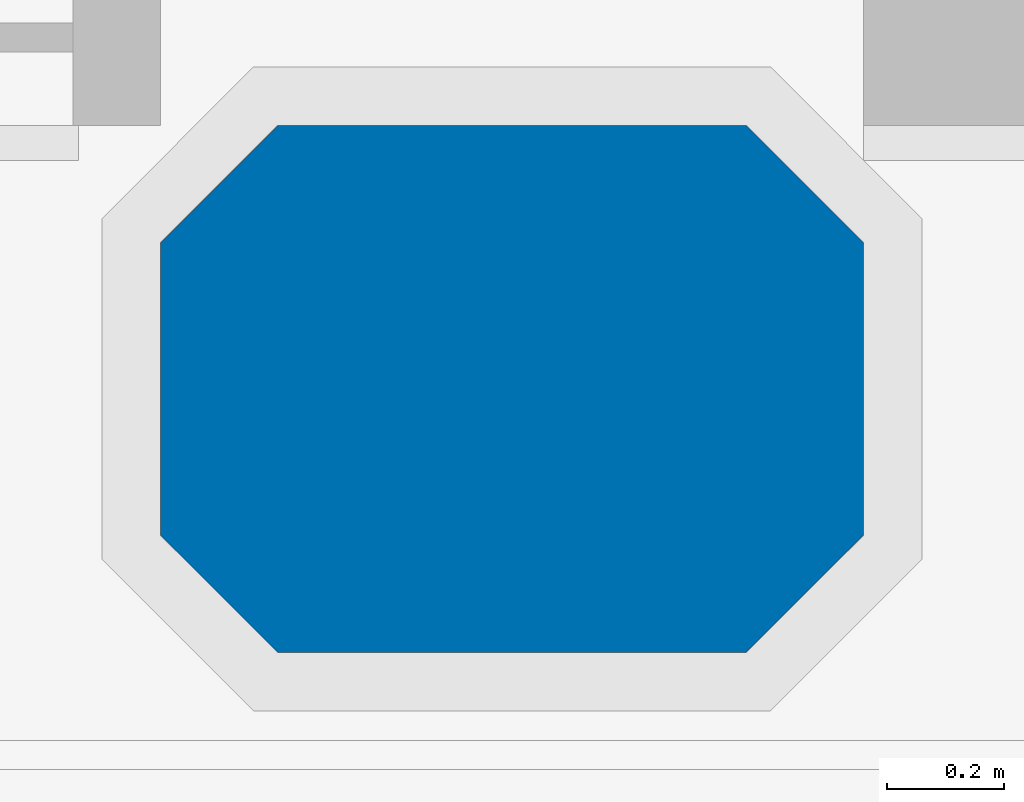
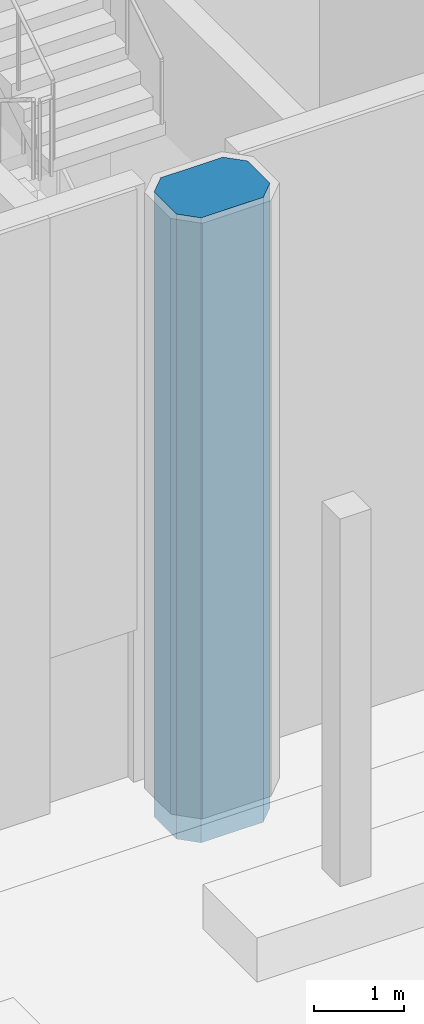
# One storey, part 5 of 54: 1 column.
"""IFC4 building model written with IfcOpenShell, lengths in metres."""

import ifcopenshell
import ifcopenshell.guid

model = None  # the IFC model being written
_history = None  # IfcOwnerHistory: only IFC2X3 demands one
_inside = {}  # id of a spatial element -> (the spatial element, [elements in it])
_under = {}  # id of a project, library or spatial element -> (it, [spatial elements below it])
_declared = {}  # id of a project -> (the project, [libraries it declares])
_typed = {}  # id of a type object -> (the type object, [elements of that type])
_made_of = {}  # id of a material, layer set ... -> (it, [elements and type objects made of it])


def new_model(schema):
    """Start an empty IFC model of exactly this schema.

    Asked for "IFC4X3", IfcOpenShell would pick the latest addendum, in which some entities
    have other attributes; the version numbers below select the first issue.
    IFC2X3 requires an IfcOwnerHistory on every rooted entity: one is made here for all.
    """
    global model, _history
    if schema == "IFC4X3":
        model = ifcopenshell.file(schema_version=(4, 3, 0, 0))
    else:
        model = ifcopenshell.file(schema=schema)
    _inside.clear()
    _under.clear()
    _declared.clear()
    _typed.clear()
    _made_of.clear()
    _history = None
    if model.schema == "IFC2X3":
        org = make("IfcOrganization", Name="unknown")
        user = make(
            "IfcPersonAndOrganization",
            ThePerson=make("IfcPerson", FamilyName="unknown"),
            TheOrganization=org,
        )
        app = make(
            "IfcApplication",
            ApplicationDeveloper=org,
            Version="unknown",
            ApplicationFullName="unknown",
            ApplicationIdentifier="unknown",
        )
        _history = make(
            "IfcOwnerHistory",
            OwningUser=user,
            OwningApplication=app,
            ChangeAction="ADDED",
            CreationDate=0,
        )
    return model


def make(cls, **values):
    """One entity of the class cls with the attributes given. An attribute that is None is left unset."""
    return model.create_entity(
        cls, **{name: value for name, value in values.items() if value is not None}
    )


def rooted(cls, **values):
    """An entity with a GlobalId (a new one), such as an element, a storey or a relation."""
    return make(cls, GlobalId=ifcopenshell.guid.new(), OwnerHistory=_history, **values)


def si_unit(unit_type, name, prefix=None):
    """IfcSIUnit, for example si_unit("LENGTHUNIT", "METRE", prefix="MILLI")."""
    return make("IfcSIUnit", UnitType=unit_type, Prefix=prefix, Name=name)


def assignment(units):
    """IfcUnitAssignment: the units of a project."""
    return None if units is None else make("IfcUnitAssignment", Units=units)


def point(xyz):
    """IfcCartesianPoint."""
    return None if xyz is None else make("IfcCartesianPoint", Coordinates=xyz)


def direction(xyz):
    """IfcDirection."""
    return None if xyz is None else make("IfcDirection", DirectionRatios=xyz)


def frame(location, z_axis=None, x_axis=None):
    """IfcAxis2Placement3D, a coordinate frame: its origin and axes. An axis left out is left unset."""
    return make(
        "IfcAxis2Placement3D",
        Location=point(location),
        Axis=direction(z_axis),
        RefDirection=direction(x_axis),
    )


def origin():
    """The frame at (0, 0, 0) with its axes left unset."""
    return frame((0.0, 0.0, 0.0))


def place(relative_to, where):
    """IfcLocalPlacement: puts the frame where relative to a parent placement (None: the world)."""
    return make(
        "IfcLocalPlacement", PlacementRelTo=relative_to, RelativePlacement=where
    )


def context(
    kind, dimensions, precision=None, world=None, true_north=None, identifier=None
):
    """IfcGeometricRepresentationContext, for example the 3D "Model" context."""
    return make(
        "IfcGeometricRepresentationContext",
        ContextIdentifier=identifier,
        ContextType=kind,
        CoordinateSpaceDimension=dimensions,
        Precision=precision,
        WorldCoordinateSystem=world,
        TrueNorth=true_north,
    )


def subcontext(parent, identifier, kind, view, scale=None):
    """IfcGeometricRepresentationSubContext, for example "Body" below "Model"."""
    return make(
        "IfcGeometricRepresentationSubContext",
        ContextIdentifier=identifier,
        ContextType=kind,
        ParentContext=parent,
        TargetScale=scale,
        TargetView=view,
    )


def project(units=None, contexts=None):
    """IfcProject with its units and contexts."""
    return rooted(
        "IfcProject",
        Name="project",
        RepresentationContexts=contexts,
        UnitsInContext=assignment(units),
    )


def spatial(cls, under=None, at=None, **own):
    """A site, building, storey or space (cls), placed at a placement, below another one or the project."""
    s = rooted(cls, ObjectPlacement=at, **own)
    if under is not None:
        _under.setdefault(under.id(), (under, []))[1].append(s)
    return s


def polyline(points):
    """IfcPolyline through the points."""
    return make("IfcPolyline", Points=[point(p) for p in points])


def outline(outer, holes=None, kind="AREA"):
    """IfcArbitraryClosedProfileDef: a profile drawn as a closed curve; with holes, ...WithVoids."""
    if holes is None:
        return make("IfcArbitraryClosedProfileDef", ProfileType=kind, OuterCurve=outer)
    return make(
        "IfcArbitraryProfileDefWithVoids",
        ProfileType=kind,
        OuterCurve=outer,
        InnerCurves=holes,
    )


def extrude(swept, where, along, depth):
    """IfcExtrudedAreaSolid: the profile swept, set in the frame where, extruded along a direction by depth."""
    return make(
        "IfcExtrudedAreaSolid",
        SweptArea=swept,
        Position=where,
        ExtrudedDirection=direction(along),
        Depth=depth,
    )


def shape(context_of_items, identifier, shape_type, items):
    """IfcShapeRepresentation: the items that make up one representation, for example the "Body"."""
    return make(
        "IfcShapeRepresentation",
        ContextOfItems=context_of_items,
        RepresentationIdentifier=identifier,
        RepresentationType=shape_type,
        Items=items,
    )


def material(Name=None, Category=None):
    """IfcMaterial."""
    return make("IfcMaterial", Name=Name, Category=Category)


def material_profile(
    of_material, cross_section, Name=None, Category=None, Priority=None
):
    """IfcMaterialProfile: a cross section and its material."""
    return make(
        "IfcMaterialProfile",
        Name=Name,
        Material=of_material,
        Profile=cross_section,
        Priority=Priority,
        Category=Category,
    )


def profile_set(profiles, Name=None, composite=None):
    """IfcMaterialProfileSet."""
    return make(
        "IfcMaterialProfileSet",
        Name=Name,
        MaterialProfiles=profiles,
        CompositeProfile=composite,
    )


def made_of(thing, what):
    """Note that an element or type object is made of a material, layer set ...; save() writes the relation."""
    if what is not None:
        _made_of.setdefault(what.id(), (what, []))[1].append(thing)
    return thing


def type_object(cls, material=None, **own):
    """A type object (cls), such as IfcWallType, which elements share."""
    return made_of(rooted(cls, **own), material)


def element(
    cls,
    number,
    at=None,
    inside=None,
    cuts=None,
    type_object=None,
    material=None,
    context=None,
    identifier="Body",
    shape_type=None,
    held_by="IfcProductDefinitionShape",
    body=None,
    shapes=None,
    **own,
):
    """One element of the class cls, such as IfcWall. Its Tag is "e" and its number.

    at: its placement. inside: the storey or other place that contains it. cuts: it is an
    opening in that element (IfcRelVoidsElement). A single representation is given by context,
    identifier, shape_type and body (its items); several are given by shapes. held_by: the class
    of the entity that holds the representations. save() writes the other relations.
    """
    e = rooted(cls, Tag="e%d" % number, ObjectPlacement=at, **own)
    if body is not None:
        shapes = [shape(context, identifier, shape_type, body)]
    if shapes is not None:
        e.Representation = make(held_by, Representations=shapes)
    if inside is not None:
        _inside.setdefault(inside.id(), (inside, []))[1].append(e)
    if cuts is not None:
        rooted(
            "IfcRelVoidsElement", RelatingBuildingElement=cuts, RelatedOpeningElement=e
        )
    if type_object is not None:
        _typed.setdefault(type_object.id(), (type_object, []))[1].append(e)
    return made_of(e, material)


def aggregate(whole, parts):
    """IfcRelAggregates: a whole, such as a stair, and the parts it consists of."""
    return rooted("IfcRelAggregates", RelatingObject=whole, RelatedObjects=parts)


def save(model, path):
    """Write the relations noted so far, then the file.

    IfcRelAggregates (storeys below a building ...), IfcRelContainedInSpatialStructure (elements
    in a storey), IfcRelDefinesByType, IfcRelAssociatesMaterial and IfcRelDeclares: one each for
    every whole, place, type object, material and project.
    """
    for whole, parts in _under.values():
        aggregate(whole, parts)
    for where, things in _inside.values():
        rooted(
            "IfcRelContainedInSpatialStructure",
            RelatedElements=things,
            RelatingStructure=where,
        )
    for kind, things in _typed.values():
        rooted("IfcRelDefinesByType", RelatedObjects=things, RelatingType=kind)
    for what, things in _made_of.values():
        rooted("IfcRelAssociatesMaterial", RelatedObjects=things, RelatingMaterial=what)
    for by, libraries in _declared.values():
        rooted("IfcRelDeclares", RelatingContext=by, RelatedDefinitions=libraries)
    model.write(path)


model = new_model("IFC4")

# Units and contexts
model_context = context("Model", 3, precision=1e-05, world=origin(), true_north=direction((0.0, 1.0)))
body_context = subcontext(model_context, "Body", "Model", "MODEL_VIEW")
ifc_project = project(units=[si_unit("LENGTHUNIT", "METRE"), si_unit("AREAUNIT", "SQUARE_METRE"), si_unit("VOLUMEUNIT", "CUBIC_METRE"), si_unit("PLANEANGLEUNIT", "RADIAN"), si_unit("MASSUNIT", "GRAM", prefix="KILO")], contexts=[model_context])

# Site, building, storey
site_placement = place(None, origin())
site = spatial("IfcSite", under=ifc_project, at=site_placement, CompositionType="ELEMENT")
building_placement = place(site_placement, origin())
building = spatial("IfcBuilding", under=site, at=building_placement, Name="Tabaq Tower and Sports Hall", CompositionType="ELEMENT")
storey_placement = place(building_placement, origin())
storey = spatial("IfcBuildingStorey", under=building, at=storey_placement, Name="L00", CompositionType="ELEMENT", Elevation=0.0)

# Column
ifc_material = material(Name="Concrete C50/60", Category="concrete")
ifc_material_profile = material_profile(ifc_material, outline(polyline([(-0.39990234375, -0.449951171875), (0.39990234375, -0.449951171875), (0.60009765625, -0.25), (0.60009765625, 0.25), (0.39990234375, 0.449951171875), (-0.39990234375, 0.449951171875), (-0.60009765625, 0.25), (-0.60009765625, -0.25), (-0.39990234375, -0.449951171875)])), Name="PIER 1200x900")
ifc_profile_set = profile_set([ifc_material_profile], Name="Concrete C50/60")
column_type = type_object("IfcColumnType", Name="HALL PIER RC 1200x900", PredefinedType="COLUMN", material=ifc_profile_set)
column_placement = place(storey_placement, frame((108.0, 0.0, -0.39990234375), z_axis=(0.0, 0.0, 1.0), x_axis=(1.0, 0.0, 0.0)))
element("IfcColumn", 1, at=column_placement, inside=storey, type_object=column_type, Name="Pier 21A L00", PredefinedType="COLUMN", context=body_context, shape_type="SweptSolid", body=[
    extrude(outline(polyline([(-0.39990234375, -0.449951171875), (0.39990234375, -0.449951171875), (0.60009765625, -0.25), (0.60009765625, 0.25), (0.39990234375, 0.449951171875), (-0.39990234375, 0.449951171875), (-0.60009765625, 0.25), (-0.60009765625, -0.25), (-0.39990234375, -0.449951171875)])), origin(), (0.0, 0.0, 1.0), 8.5),
])

save(model, "model.ifc")
